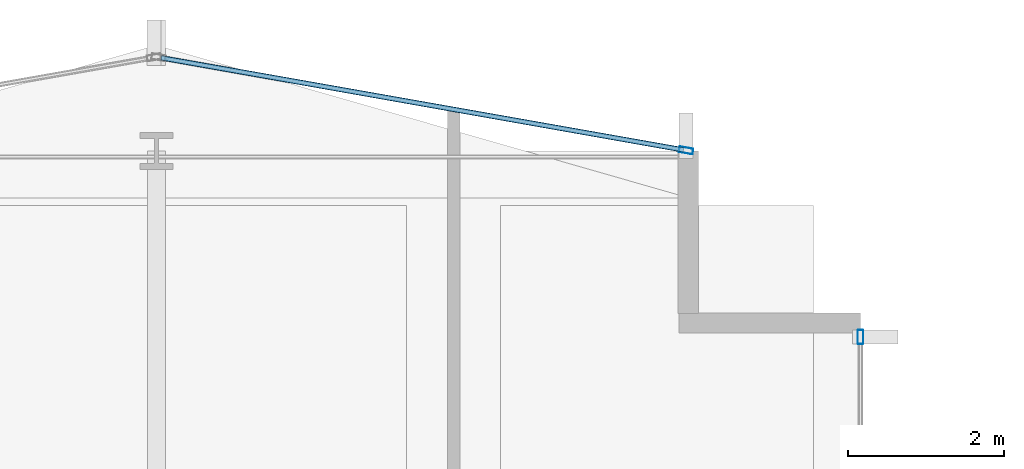
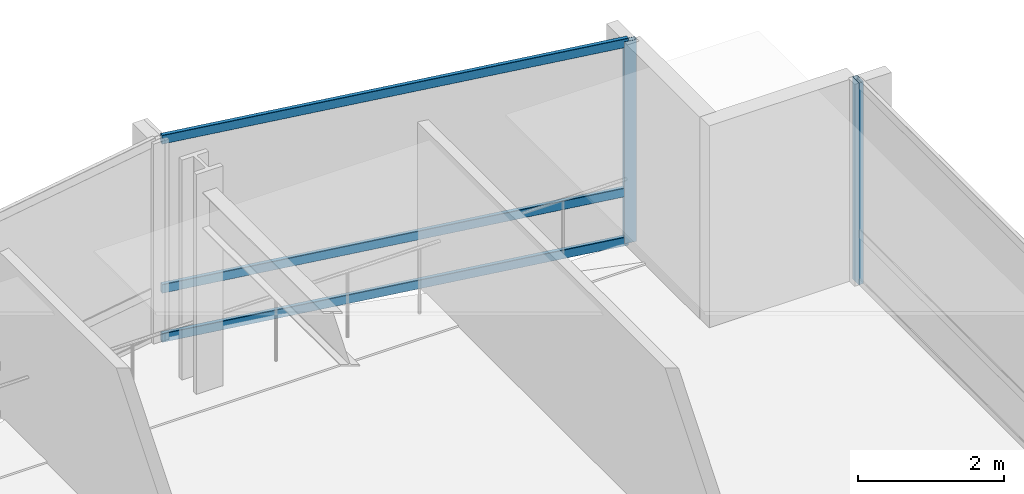
# One storey, part 25 of 35: 5 members, 2 elements without a shape of their own.
"""IFC4 building model written with IfcOpenShell, lengths in metres."""

from ifc_helpers import new_model, si_unit, direction, frame, origin, origin_2d, place, context, subcontext, project, spatial, hollow_rectangle, extrude, material, layer, layer_set, material_profile, profile_set, type_object, element, aggregate, save


model = new_model("IFC4")

# Units and contexts
model_context = context("Model", 3, precision=1e-05, world=origin(), true_north=direction((0.0, 1.0)))
body_context = subcontext(model_context, "Body", "Model", "MODEL_VIEW")
ifc_project = project(units=[si_unit("LENGTHUNIT", "METRE"), si_unit("AREAUNIT", "SQUARE_METRE"), si_unit("VOLUMEUNIT", "CUBIC_METRE"), si_unit("PLANEANGLEUNIT", "RADIAN"), si_unit("MASSUNIT", "GRAM", prefix="KILO")], contexts=[model_context])

# Site, building, storey
site_placement = place(None, origin())
site = spatial("IfcSite", under=ifc_project, at=site_placement, CompositionType="ELEMENT")
building_placement = place(site_placement, origin())
building = spatial("IfcBuilding", under=site, at=building_placement, Name="Solvaryn Broadcast Tower", CompositionType="ELEMENT")
storey_placement = place(building_placement, frame((0.0, 0.0, 80.39990234375)))
storey = spatial("IfcBuildingStorey", under=building, at=storey_placement, Name="L19", CompositionType="ELEMENT", Elevation=80.39990234375)

# Curtain wall, member
ifc_material_1 = material(Name="Aluminium and Terracotta Unitised Curtain Wall", Category="masonry")
ifc_layer = layer(ifc_material_1, 0.199951171875)
ifc_layer_set = layer_set([ifc_layer], Name="CW-SYS2-LOWMID")
curtain_wall_type = type_object("IfcCurtainWallType", Name="CW-SYS2-LOWMID", PredefinedType="NOTDEFINED", material=ifc_layer_set)
curtain_wall_1_placement = place(storey_placement, origin())
curtain_wall_1 = element("IfcCurtainWall", 1, at=curtain_wall_1_placement, inside=storey, type_object=curtain_wall_type, Name="L19 Curtain Wall IV", PredefinedType="NOTDEFINED")
ifc_material_2 = material(Name="Anodised Aluminium 6063-T6", Category="aluminium")
ifc_material_profile_1 = material_profile(ifc_material_2, hollow_rectangle(XDim=0.074951171875, YDim=0.179931640625, WallThickness=0.00390625, InnerFilletRadius=0.00390625, OuterFilletRadius=0.008056640625, at=origin_2d()))
ifc_profile_set_1 = profile_set([ifc_material_profile_1], Name="Anodised Aluminium 6063-T6")
member_type_1 = type_object("IfcMemberType", Name="CW-MUL-180", PredefinedType="MULLION", material=ifc_profile_set_1)
member_1_placement = place(storey_placement, frame((27.0, 51.6201171875, 0.0), z_axis=(0.0, 0.0, 1.0), x_axis=(1.0, 0.0, 0.0)))
member_1 = element("IfcMember", 2, at=member_1_placement, type_object=member_type_1, Name="CWS2 mullion 1", PredefinedType="MULLION", context=body_context, shape_type="SweptSolid", body=[
    extrude(hollow_rectangle(XDim=0.074951171875, YDim=0.179931640625, WallThickness=0.00390625, InnerFilletRadius=0.00390625, OuterFilletRadius=0.008056640625, at=origin_2d()), origin(), (0.0, 0.0, 1.0), 3.3701171875),
])
aggregate(curtain_wall_1, [member_1])

# Curtain wall, members
curtain_wall_2_placement = place(storey_placement, origin())
curtain_wall_2 = element("IfcCurtainWall", 3, at=curtain_wall_2_placement, inside=storey, type_object=curtain_wall_type, Name="L19 Curtain Wall NT1", PredefinedType="NOTDEFINED")
member_2_placement = place(storey_placement, frame((24.7705078125, 54.005126953125, 0.0), z_axis=(0.0, 0.0, 1.0), x_axis=(-0.173785333901, -0.984783558819, 0.0)))
member_2 = element("IfcMember", 4, at=member_2_placement, type_object=member_type_1, Name="CWS2 mullion 1", PredefinedType="MULLION", context=body_context, shape_type="SweptSolid", body=[
    extrude(hollow_rectangle(XDim=0.074951171875, YDim=0.179931640625, WallThickness=0.00390625, InnerFilletRadius=0.00390625, OuterFilletRadius=0.008056640625, at=origin_2d()), origin(), (0.0, 0.0, 1.0), 3.3701171875),
])
ifc_material_3 = material(Name="Anodised Aluminium 6063-T6", Category="aluminium")
ifc_material_profile_2 = material_profile(ifc_material_3, hollow_rectangle(XDim=0.06494140625, YDim=0.14990234375, WallThickness=0.00390625, InnerFilletRadius=0.00390625, OuterFilletRadius=0.008056640625, at=origin_2d()))
ifc_profile_set_2 = profile_set([ifc_material_profile_2], Name="Anodised Aluminium 6063-T6")
member_type_2 = type_object("IfcMemberType", Name="CW-TRN-150", PredefinedType="USERDEFINED", material=ifc_profile_set_2)
member_3_placement = place(storey_placement, frame((24.740966796875, 54.010498046875, 0.030029296875), z_axis=(-0.984788629673, 0.173756596613, 0.0), x_axis=(-0.173756596613, -0.984788629673, 0.0)))
member_3 = element("IfcMember", 5, at=member_3_placement, type_object=member_type_2, Name="CWS2 transom 1.1", ObjectType="TRANSOM", PredefinedType="USERDEFINED", context=body_context, shape_type="SweptSolid", body=[
    extrude(hollow_rectangle(XDim=0.06494140625, YDim=0.14990234375, WallThickness=0.00390625, InnerFilletRadius=0.00390625, OuterFilletRadius=0.008056640625, at=origin_2d()), origin(), (0.0, 0.0, 1.0), 6.78515625),
])
member_4_placement = place(storey_placement, frame((24.740966796875, 54.010498046875, 0.85009765625), z_axis=(-0.984788629673, 0.173756596613, 0.0), x_axis=(-0.173756596613, -0.984788629673, 0.0)))
member_4 = element("IfcMember", 6, at=member_4_placement, type_object=member_type_2, Name="CWS2 transom 1.2", ObjectType="TRANSOM", PredefinedType="USERDEFINED", context=body_context, shape_type="SweptSolid", body=[
    extrude(hollow_rectangle(XDim=0.06494140625, YDim=0.14990234375, WallThickness=0.00390625, InnerFilletRadius=0.00390625, OuterFilletRadius=0.008056640625, at=origin_2d()), origin(), (0.0, 0.0, 1.0), 6.78515625),
])
member_5_placement = place(storey_placement, frame((24.740966796875, 54.010498046875, 3.340087890625), z_axis=(-0.984788629673, 0.173756596613, 0.0), x_axis=(-0.173756596613, -0.984788629673, 0.0)))
member_5 = element("IfcMember", 7, at=member_5_placement, type_object=member_type_2, Name="CWS2 transom 1.3", ObjectType="TRANSOM", PredefinedType="USERDEFINED", context=body_context, shape_type="SweptSolid", body=[
    extrude(hollow_rectangle(XDim=0.06494140625, YDim=0.14990234375, WallThickness=0.00390625, InnerFilletRadius=0.00390625, OuterFilletRadius=0.008056640625, at=origin_2d()), origin(), (0.0, 0.0, 1.0), 6.78515625),
])
aggregate(curtain_wall_2, [member_2, member_3, member_4, member_5])

save(model, "model.ifc")
